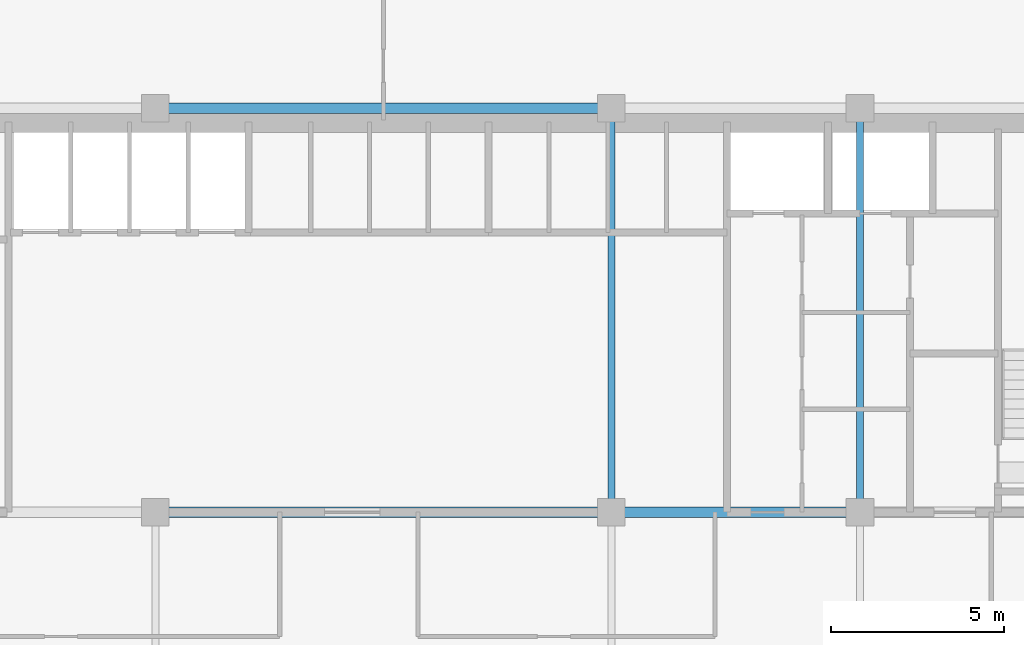
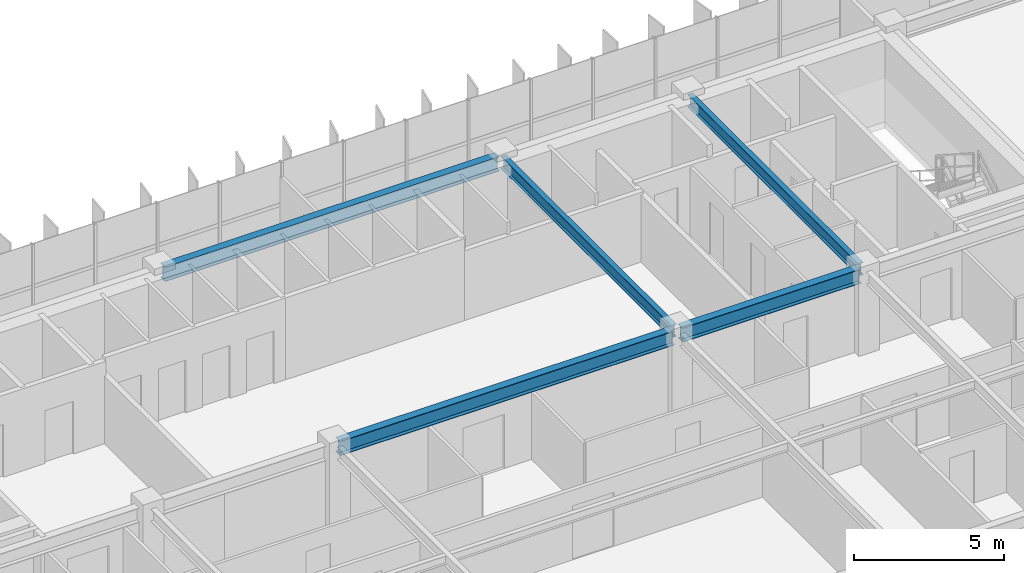
# One storey, part 8 of 22: 5 beams.
"""IFC4 building model written with IfcOpenShell, lengths in metres."""

from ifc_helpers import new_model, si_unit, direction, frame, origin, origin_2d, place, context, subcontext, project, spatial, i_section, extrude, source, transform, mapped, material, material_profile, profile_set, type_object, element, save


model = new_model("IFC4")

# Units and contexts
model_context = context("Model", 3, precision=1e-05, world=origin(), true_north=direction((0.0, 1.0)))
body_context = subcontext(model_context, "Body", "Model", "MODEL_VIEW")
ifc_project = project(units=[si_unit("LENGTHUNIT", "METRE"), si_unit("AREAUNIT", "SQUARE_METRE"), si_unit("VOLUMEUNIT", "CUBIC_METRE"), si_unit("PLANEANGLEUNIT", "RADIAN"), si_unit("MASSUNIT", "GRAM", prefix="KILO")], contexts=[model_context])

# Site, building, storey
site_placement = place(None, origin())
site = spatial("IfcSite", under=ifc_project, at=site_placement, CompositionType="ELEMENT")
building_placement = place(site_placement, origin())
building = spatial("IfcBuilding", under=site, at=building_placement, Name="Trelvane Seafront Commons", CompositionType="ELEMENT")
storey_placement = place(building_placement, frame((0.0, 0.0, 99.699951171875)))
storey = spatial("IfcBuildingStorey", under=building, at=storey_placement, Name="L25", CompositionType="ELEMENT", Elevation=99.699951171875)

# Beams
ifc_material = material(Name="Steel SM355 (S355)", Category="steel")
ifc_material_profile_1 = material_profile(ifc_material, i_section(OverallWidth=0.300048828125, OverallDepth=0.587890625, WebThickness=0.011962890625, FlangeThickness=0.02001953125, at=origin_2d()), Name="H-588x300x12x20")
ifc_profile_set_1 = profile_set([ifc_material_profile_1], Name="Steel SM355 (S355)")
beam_type_1 = type_object("IfcBeamType", Name="STR-BM-H588", PredefinedType="BEAM", material=ifc_profile_set_1)
shared_shape_1 = source(origin(), body_context, "Body", "SweptSolid", [
    extrude(i_section(OverallWidth=0.300048828125, OverallDepth=0.587890625, WebThickness=0.011962890625, FlangeThickness=0.02001953125, at=origin_2d()), origin(), (0.0, 0.0, 1.0), 12.89990234375),
])
for number, where, z_axis, x_axis, name in (
    (1, (30.75, 33.39990234375, 3.046142578125), (1.0, 0.0, 0.0), (0.0, 1.0, 0.0), "L25 Primary Girder G-23"),
    (2, (30.75, 45.10009765625, 3.046142578125), (1.0, 0.0, 0.0), (0.0, 1.0, 0.0), "L25 Primary Girder G-32"),
):
    element("IfcBeam", number, at=place(storey_placement, frame(where, z_axis=z_axis, x_axis=x_axis)), inside=storey, type_object=beam_type_1, Name=name, PredefinedType="BEAM", context=body_context, shape_type="MappedRepresentation", body=[
        mapped(shared_shape_1, transform((0.0, 0.0, 0.0), x_axis=(1.0, 0.0, 0.0), y_axis=(0.0, 1.0, 0.0), z_axis=(0.0, 0.0, 1.0), scale=1.0)),
    ])
shared_shape_2 = source(origin(), body_context, "Body", "SweptSolid", [
    extrude(i_section(OverallWidth=0.300048828125, OverallDepth=0.587890625, WebThickness=0.011962890625, FlangeThickness=0.02001953125, at=origin_2d()), origin(), (0.0, 0.0, 1.0), 6.900146484375),
])
beam_placement = place(storey_placement, frame((43.949951171875, 33.39990234375, 3.046142578125), z_axis=(1.0, 0.0, 0.0), x_axis=(0.0, 1.0, 0.0)))
element("IfcBeam", 3, at=beam_placement, inside=storey, type_object=beam_type_1, Name="L25 Primary Girder G-24", PredefinedType="BEAM", context=body_context, shape_type="MappedRepresentation", body=[
    mapped(shared_shape_2, transform((0.0, 0.0, 0.0), x_axis=(1.0, 0.0, 0.0), y_axis=(0.0, 1.0, 0.0), z_axis=(0.0, 0.0, 1.0), scale=1.0)),
])
ifc_material_profile_2 = material_profile(ifc_material, i_section(OverallWidth=0.199951171875, OverallDepth=0.5, WebThickness=0.010009765625, FlangeThickness=0.01611328125, at=origin_2d()), Name="H-500x200x10x16")
ifc_profile_set_2 = profile_set([ifc_material_profile_2], Name="Steel SM355 (S355)")
beam_type_2 = type_object("IfcBeamType", Name="STR-BM-H500", PredefinedType="BEAM", material=ifc_profile_set_2)
shared_shape_3 = source(origin(), body_context, "Body", "SweptSolid", [
    extrude(i_section(OverallWidth=0.199951171875, OverallDepth=0.5, WebThickness=0.010009765625, FlangeThickness=0.01611328125, at=origin_2d()), origin(), (0.0, 0.0, 1.0), 11.39990234375),
])
for number, where, z_axis, x_axis, name in (
    (4, (43.800048828125, 33.550048828125, 3.090087890625), (0.0, 1.0, 0.0), (-1.0, 0.0, 0.0), "L25 Primary Girder G-54"),
    (5, (51.0, 33.550048828125, 3.090087890625), (0.0, 1.0, 0.0), (-1.0, 0.0, 0.0), "L25 Primary Girder G-57"),
):
    element("IfcBeam", number, at=place(storey_placement, frame(where, z_axis=z_axis, x_axis=x_axis)), inside=storey, type_object=beam_type_2, Name=name, PredefinedType="BEAM", context=body_context, shape_type="MappedRepresentation", body=[
        mapped(shared_shape_3, transform((0.0, 0.0, 0.0), x_axis=(1.0, 0.0, 0.0), y_axis=(0.0, 1.0, 0.0), z_axis=(0.0, 0.0, 1.0), scale=1.0)),
    ])

save(model, "model.ifc")
